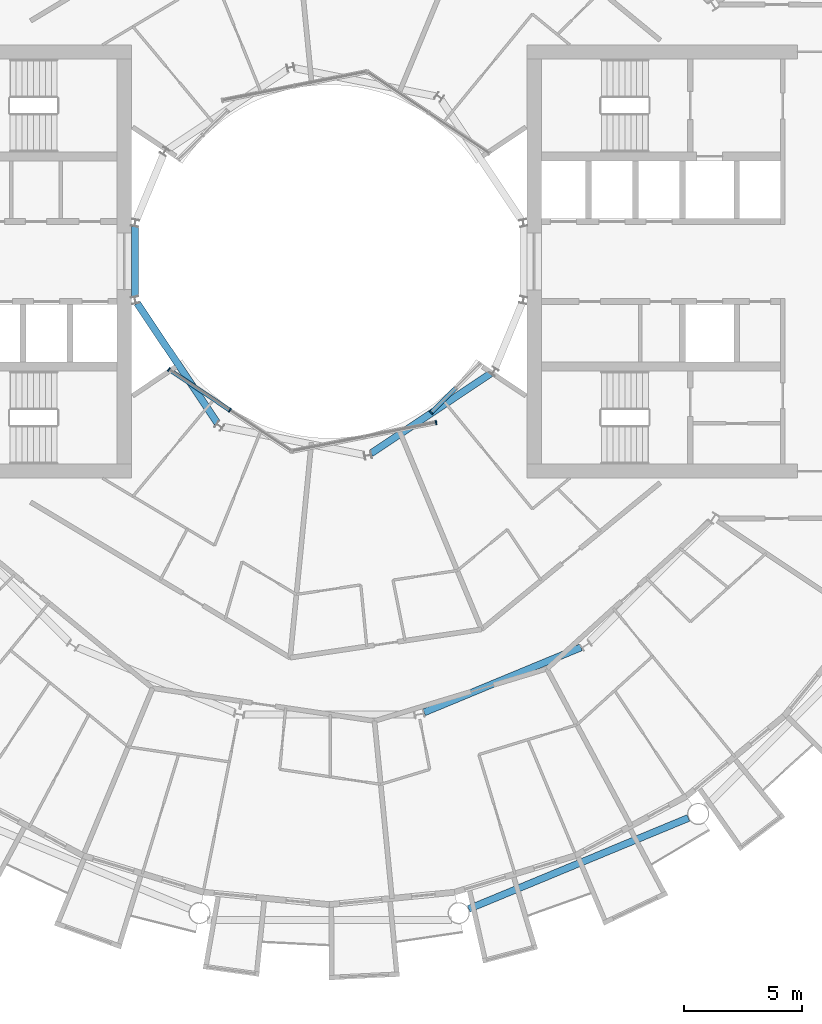
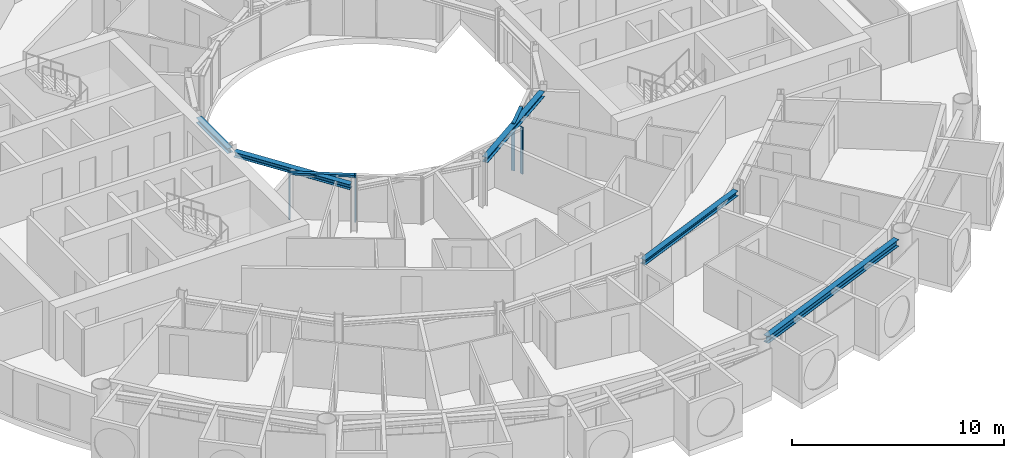
# One storey, part 6 of 28: 6 members, 5 beams, 3 elements without a shape of their own.
"""IFC4 building model written with IfcOpenShell, lengths in metres."""

from ifc_helpers import new_model, si_unit, direction, frame, origin, origin_2d, place, context, subcontext, project, spatial, rectangle, i_section, extrude, material, layer, layer_set, material_profile, profile_set, type_object, element, aggregate, save


model = new_model("IFC4")

# Units and contexts
model_context = context("Model", 3, precision=1e-05, world=origin(), true_north=direction((0.0, 1.0)))
body_context = subcontext(model_context, "Body", "Model", "MODEL_VIEW")
ifc_project = project(units=[si_unit("LENGTHUNIT", "METRE"), si_unit("AREAUNIT", "SQUARE_METRE"), si_unit("VOLUMEUNIT", "CUBIC_METRE"), si_unit("PLANEANGLEUNIT", "RADIAN"), si_unit("MASSUNIT", "GRAM", prefix="KILO")], contexts=[model_context])

# Site, building, storey
site_placement = place(None, origin())
site = spatial("IfcSite", under=ifc_project, at=site_placement, CompositionType="ELEMENT")
building_placement = place(site_placement, origin())
building = spatial("IfcBuilding", under=site, at=building_placement, Name="Maasbend Ring Residences", CompositionType="ELEMENT")
storey_placement = place(building_placement, frame((0.0, 0.0, 129.949951171875)))
storey = spatial("IfcBuildingStorey", under=building, at=storey_placement, Name="L37", CompositionType="ELEMENT", Elevation=129.949951171875)

# Curtain wall, members
ifc_material_1 = material(Name="Aluminium and clear glass", Category="aluminium")
ifc_layer = layer(ifc_material_1, 0.179931640625)
ifc_layer_set = layer_set([ifc_layer], Name="CW-W")
curtain_wall_type = type_object("IfcCurtainWallType", Name="CW-W", PredefinedType="NOTDEFINED", material=ifc_layer_set)
curtain_wall_1_placement = place(storey_placement, origin())
curtain_wall_1 = element("IfcCurtainWall", 1, at=curtain_wall_1_placement, inside=storey, type_object=curtain_wall_type, Name="Well curtain wall S1", PredefinedType="NOTDEFINED")
ifc_material_2 = material(Name="Aluminium 6063-T6", Category="aluminium")
ifc_material_profile_1 = material_profile(ifc_material_2, rectangle(XDim=0.179931640625, YDim=0.06005859375, at=origin_2d()), Name="AL 180x60")
ifc_profile_set_1 = profile_set([ifc_material_profile_1], Name="Aluminium 6063-T6")
member_type_1 = type_object("IfcMemberType", Name="CWM-W", PredefinedType="MULLION", material=ifc_profile_set_1)
member_1_placement = place(storey_placement, frame((-6.805908203125, -4.580810546875, 0.0), z_axis=(0.0, 0.0, 1.0), x_axis=(0.55557023302, 0.831469612303, 0.0)))
member_1 = element("IfcMember", 2, at=member_1_placement, type_object=member_type_1, Name="Mullion well face", PredefinedType="MULLION", context=body_context, shape_type="SweptSolid", body=[
    extrude(rectangle(XDim=0.179931640625, YDim=0.06005859375, at=origin_2d()), origin(), (0.0, 0.0, 1.0), 2.699951171875),
])
member_2_placement = place(storey_placement, frame((-4.216796875, -6.310791015625, 0.0), z_axis=(0.0, 0.0, 1.0), x_axis=(0.55557023302, 0.831469612303, 0.0)))
member_2 = element("IfcMember", 3, at=member_2_placement, type_object=member_type_1, Name="Mullion well face", PredefinedType="MULLION", context=body_context, shape_type="SweptSolid", body=[
    extrude(rectangle(XDim=0.179931640625, YDim=0.06005859375, at=origin_2d()), origin(), (0.0, 0.0, 1.0), 2.699951171875),
])

# Curtain wall, member
curtain_wall_2_placement = place(storey_placement, origin())
curtain_wall_2 = element("IfcCurtainWall", 4, at=curtain_wall_2_placement, inside=storey, type_object=curtain_wall_type, Name="Well curtain wall S2", PredefinedType="NOTDEFINED")
member_3_placement = place(storey_placement, frame((4.53466796875, -6.836669921875, 0.0), z_axis=(0.0, 0.0, 1.0), x_axis=(-0.195090322016, 0.980785280403, 0.0)))
member_3 = element("IfcMember", 5, at=member_3_placement, type_object=member_type_1, Name="Mullion well face", PredefinedType="MULLION", context=body_context, shape_type="SweptSolid", body=[
    extrude(rectangle(XDim=0.179931640625, YDim=0.06005859375, at=origin_2d()), origin(), (0.0, 0.0, 1.0), 2.699951171875),
])
aggregate(curtain_wall_2, [member_3])

curtain_wall_3_placement = place(storey_placement, origin())
curtain_wall_3 = element("IfcCurtainWall", 6, at=curtain_wall_3_placement, inside=storey, type_object=curtain_wall_type, Name="Well curtain wall S3", PredefinedType="NOTDEFINED")
member_4_placement = place(storey_placement, frame((4.320556640625, -6.413330078125, 0.0), z_axis=(0.0, 0.0, 1.0), x_axis=(-0.707106781187, 0.707106781187, 0.0)))
member_4 = element("IfcMember", 7, at=member_4_placement, type_object=member_type_1, Name="Mullion well face", PredefinedType="MULLION", context=body_context, shape_type="SweptSolid", body=[
    extrude(rectangle(XDim=0.179931640625, YDim=0.06005859375, at=origin_2d()), origin(), (0.0, 0.0, 1.0), 2.699951171875),
])

# Member
ifc_material_3 = material(Name="Aluminium 6063-T6", Category="aluminium")
ifc_material_profile_2 = material_profile(ifc_material_3, rectangle(XDim=0.179931640625, YDim=0.1201171875, at=origin_2d()), Name="AL 180x120")
ifc_profile_set_2 = profile_set([ifc_material_profile_2], Name="Aluminium 6063-T6")
member_type_2 = type_object("IfcMemberType", Name="CWT-W", PredefinedType="USERDEFINED", material=ifc_profile_set_2)
member_5_placement = place(storey_placement, frame((-6.781005859375, -4.59765625, 2.64013671875), z_axis=(0.831496422459, -0.555530106689, 0.0), x_axis=(0.555530106689, 0.831496422459, 0.0)))
member_5 = element("IfcMember", 8, at=member_5_placement, type_object=member_type_2, Name="Transom well face", ObjectType="TRANSOM", PredefinedType="USERDEFINED", context=body_context, shape_type="SweptSolid", body=[
    extrude(rectangle(XDim=0.179931640625, YDim=0.1201171875, at=origin_2d()), origin(), (0.0, 0.0, 1.0), 3.053955078125),
])

aggregate(curtain_wall_1, [member_1, member_2, member_5])

member_6_placement = place(storey_placement, frame((4.341796875, -6.39208984375, 2.64013671875), z_axis=(0.707106781187, 0.707106781187, 0.0), x_axis=(-0.707106781187, 0.707106781187, 0.0)))
member_6 = element("IfcMember", 9, at=member_6_placement, type_object=member_type_2, Name="Transom well face", ObjectType="TRANSOM", PredefinedType="USERDEFINED", context=body_context, shape_type="SweptSolid", body=[
    extrude(rectangle(XDim=0.179931640625, YDim=0.1201171875, at=origin_2d()), origin(), (0.0, 0.0, 1.0), 1.419677734375),
])

aggregate(curtain_wall_3, [member_4, member_6])

# Beams
ifc_material_4 = material(Name="Steel S355J2", Category="steel")
ifc_material_profile_3 = material_profile(ifc_material_4, i_section(OverallWidth=0.300048828125, OverallDepth=0.2900390625, WebThickness=0.008544921875, FlangeThickness=0.013916015625, FilletRadius=0.027099609375, at=origin_2d()), Name="HEA 300")
ifc_profile_set_3 = profile_set([ifc_material_profile_3], Name="Steel S355J2")
beam_type_1 = type_object("IfcBeamType", Name="Corridor ring beam HEA 300", PredefinedType="BEAM", material=ifc_profile_set_3)
beam_1_placement = place(storey_placement, frame((4.02734375, -19.13916015625, 2.554931640625), z_axis=(0.923877693919, 0.382687871089, 0.0), x_axis=(-0.382687871089, 0.923877693919, 0.0)))
element("IfcBeam", 10, at=beam_1_placement, inside=storey, type_object=beam_type_1, Name="Corridor ring beam", PredefinedType="BEAM", context=body_context, shape_type="SweptSolid", body=[
    extrude(i_section(OverallWidth=0.300048828125, OverallDepth=0.2900390625, WebThickness=0.008544921875, FlangeThickness=0.013916015625, FilletRadius=0.027099609375, at=origin_2d()), origin(), (0.0, 0.0, 1.0), 7.20703125),
])
ifc_material_5 = material(Name="Steel S355J2", Category="steel")
ifc_material_profile_4 = material_profile(ifc_material_5, i_section(OverallWidth=0.300048828125, OverallDepth=0.39990234375, WebThickness=0.013427734375, FlangeThickness=0.02392578125, FilletRadius=0.027099609375, at=origin_2d()), Name="HEB 400")
ifc_profile_set_4 = profile_set([ifc_material_profile_4], Name="Steel S355J2")
beam_type_2 = type_object("IfcBeamType", Name="Spandrel ring beam HEB 400", PredefinedType="SPANDREL", material=ifc_profile_set_4)
beam_2_placement = place(storey_placement, frame((5.923583984375, -27.483154296875, 2.5), z_axis=(0.92388529709, 0.382669515144, 0.0), x_axis=(-0.382669515144, 0.92388529709, 0.0)))
element("IfcBeam", 11, at=beam_2_placement, inside=storey, type_object=beam_type_2, Name="Spandrel ring beam", PredefinedType="SPANDREL", context=body_context, shape_type="SweptSolid", body=[
    extrude(i_section(OverallWidth=0.300048828125, OverallDepth=0.39990234375, WebThickness=0.013427734375, FlangeThickness=0.02392578125, FilletRadius=0.027099609375, at=origin_2d()), origin(), (0.0, 0.0, 1.0), 10.089111328125),
])
ifc_material_6 = material(Name="Steel S355J2", Category="steel")
ifc_material_profile_5 = material_profile(ifc_material_6, i_section(OverallWidth=0.300048828125, OverallDepth=0.2900390625, WebThickness=0.008544921875, FlangeThickness=0.013916015625, FilletRadius=0.027099609375, at=origin_2d()), Name="HEA 300")
ifc_profile_set_5 = profile_set([ifc_material_profile_5], Name="Steel S355J2")
beam_type_3 = type_object("IfcBeamType", Name="Well edge beam HEA 300", PredefinedType="BEAM", material=ifc_profile_set_5)
beam_3_placement = place(storey_placement, frame((-8.238525390625, 1.48583984375, 2.554931640625), z_axis=(0.0, -1.0, 0.0), x_axis=(1.0, 0.0, 0.0)))
element("IfcBeam", 12, at=beam_3_placement, inside=storey, type_object=beam_type_3, Name="Well edge beam", PredefinedType="BEAM", context=body_context, shape_type="SweptSolid", body=[
    extrude(i_section(OverallWidth=0.300048828125, OverallDepth=0.2900390625, WebThickness=0.008544921875, FlangeThickness=0.013916015625, FilletRadius=0.027099609375, at=origin_2d()), origin(), (0.0, 0.0, 1.0), 2.9716796875),
])
for number, where, z_axis, x_axis, name in (
    (13, (-8.1484375, -1.773681640625, 2.554931640625), (0.555558236289, -0.831477628137, 0.0), (0.831477628137, 0.555558236289, 0.0), "Well edge beam"),
    (14, (1.773681640625, -8.1484375, 2.554931640625), (0.831477628137, 0.555558236289, 0.0), (-0.555558236289, 0.831477628137, 0.0), "Well edge beam"),
):
    element("IfcBeam", number, at=place(storey_placement, frame(where, z_axis=z_axis, x_axis=x_axis)), inside=storey, type_object=beam_type_3, Name=name, PredefinedType="BEAM", context=body_context, shape_type="SweptSolid", body=[
        extrude(i_section(OverallWidth=0.300048828125, OverallDepth=0.2900390625, WebThickness=0.008544921875, FlangeThickness=0.013916015625, FilletRadius=0.027099609375, at=origin_2d()), origin(), (0.0, 0.0, 1.0), 6.1044921875),
    ])

save(model, "model.ifc")
